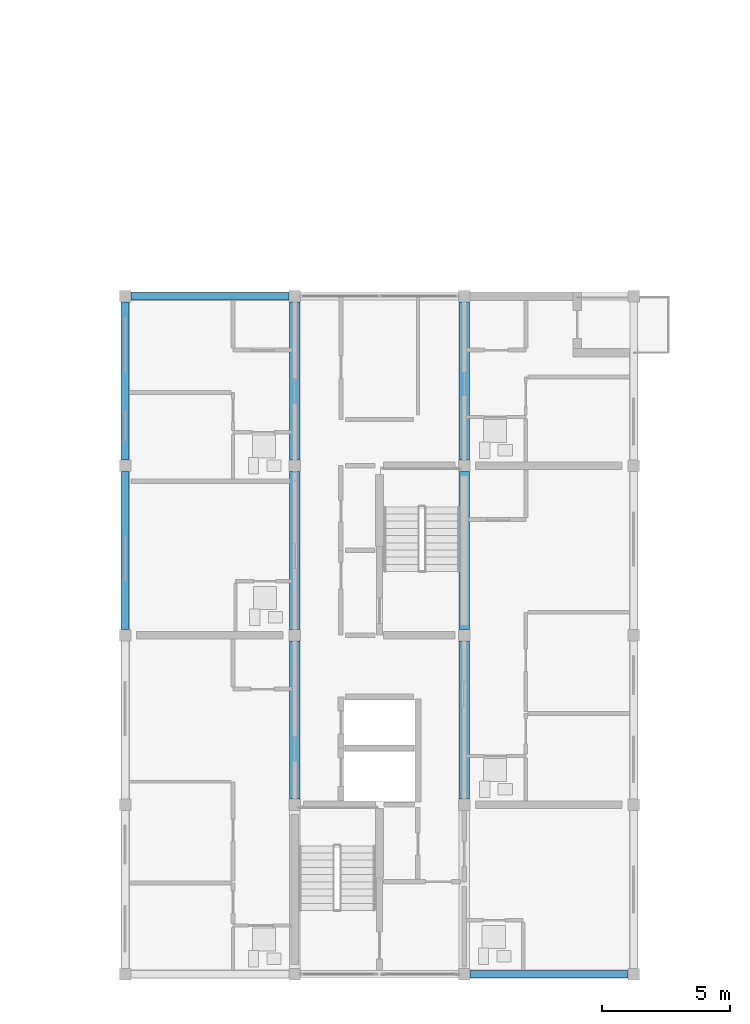
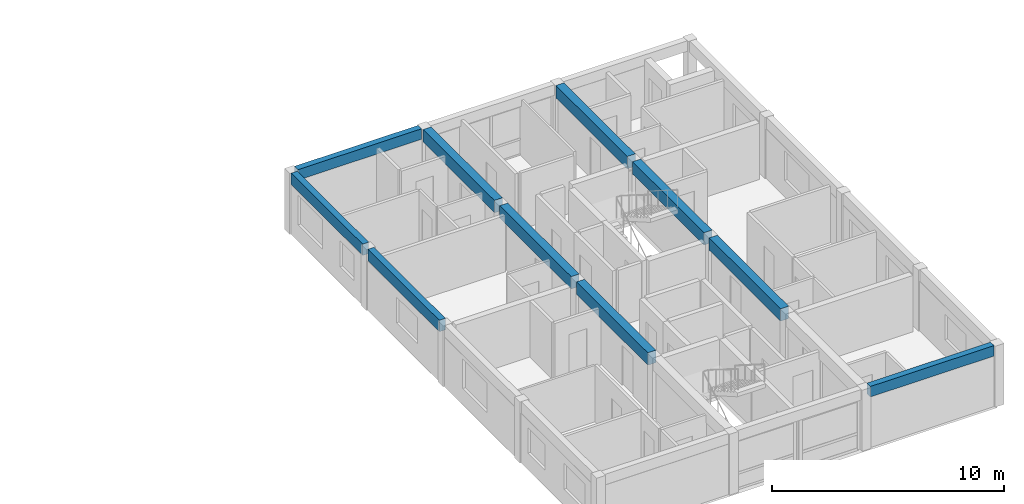
# One storey, part 13 of 45: 10 beams.
"""IFC4 building model written with IfcOpenShell, lengths in metres."""

from ifc_helpers import new_model, si_unit, direction, frame, origin, origin_2d, place, context, subcontext, project, spatial, rectangle, extrude, material, material_profile, profile_set, type_object, element, save


model = new_model("IFC4")

# Units and contexts
model_context = context("Model", 3, precision=1e-05, world=origin(), true_north=direction((0.0, 1.0)))
body_context = subcontext(model_context, "Body", "Model", "MODEL_VIEW")
ifc_project = project(units=[si_unit("LENGTHUNIT", "METRE"), si_unit("AREAUNIT", "SQUARE_METRE"), si_unit("VOLUMEUNIT", "CUBIC_METRE"), si_unit("PLANEANGLEUNIT", "RADIAN"), si_unit("MASSUNIT", "GRAM", prefix="KILO")], contexts=[model_context])

# Site, building, storey
site_placement = place(None, origin())
site = spatial("IfcSite", under=ifc_project, at=site_placement, CompositionType="ELEMENT")
building_placement = place(site_placement, origin())
building = spatial("IfcBuilding", under=site, at=building_placement, Name="Kernevlak Ridge Housing Community", CompositionType="ELEMENT")
storey_placement = place(building_placement, frame((0.0, 0.0, 21.199951171875)))
storey = spatial("IfcBuildingStorey", under=building, at=storey_placement, Name="L06", CompositionType="ELEMENT", Elevation=21.199951171875)

# Beams
ifc_material = material(Name="Concrete C35/45", Category="concrete")
ifc_material_profile_1 = material_profile(ifc_material, rectangle(XDim=0.39990234375, YDim=0.64990234375, at=origin_2d()), Name="RC 400x650")
ifc_profile_set_1 = profile_set([ifc_material_profile_1], Name="Concrete C35/45")
beam_type_1 = type_object("IfcBeamType", Name="B-03", PredefinedType="T_BEAM", material=ifc_profile_set_1)
beam_1_placement = place(storey_placement, frame((132.60009765625, 22.425048828125, 2.875), z_axis=(0.0, 1.0, 0.0), x_axis=(-1.0, 0.0, 0.0)))
element("IfcBeam", 1, at=beam_1_placement, inside=storey, type_object=beam_type_1, Name="Beam B-03 L06 1139", PredefinedType="T_BEAM", context=body_context, shape_type="SweptSolid", body=[
    extrude(rectangle(XDim=0.39990234375, YDim=0.64990234375, at=origin_2d()), origin(), (0.0, 0.0, 1.0), 6.14990234375),
])
beam_2_placement = place(storey_placement, frame((132.60009765625, 29.02490234375, 2.875), z_axis=(0.0, 1.0, 0.0), x_axis=(-1.0, 0.0, 0.0)))
element("IfcBeam", 2, at=beam_2_placement, inside=storey, type_object=beam_type_1, Name="Beam B-03 L06 1140", PredefinedType="T_BEAM", context=body_context, shape_type="SweptSolid", body=[
    extrude(rectangle(XDim=0.39990234375, YDim=0.64990234375, at=origin_2d()), origin(), (0.0, 0.0, 1.0), 6.150146484375),
])
for number, where, z_axis, x_axis, name in (
    (3, (132.60009765625, 35.625, 2.875), (0.0, 1.0, 0.0), (-1.0, 0.0, 0.0), "Beam B-03 L06 1141"),
    (4, (139.199951171875, 22.425048828125, 2.875), (0.0, 1.0, 0.0), (-1.0, 0.0, 0.0), "Beam B-03 L06 1143"),
):
    element("IfcBeam", number, at=place(storey_placement, frame(where, z_axis=z_axis, x_axis=x_axis)), inside=storey, type_object=beam_type_1, Name=name, PredefinedType="T_BEAM", context=body_context, shape_type="SweptSolid", body=[
        extrude(rectangle(XDim=0.39990234375, YDim=0.64990234375, at=origin_2d()), origin(), (0.0, 0.0, 1.0), 6.14990234375),
    ])
beam_3_placement = place(storey_placement, frame((139.199951171875, 29.02490234375, 2.875), z_axis=(0.0, 1.0, 0.0), x_axis=(-1.0, 0.0, 0.0)))
element("IfcBeam", 5, at=beam_3_placement, inside=storey, type_object=beam_type_1, Name="Beam B-03 L06 1144", PredefinedType="T_BEAM", context=body_context, shape_type="SweptSolid", body=[
    extrude(rectangle(XDim=0.39990234375, YDim=0.64990234375, at=origin_2d()), origin(), (0.0, 0.0, 1.0), 6.150146484375),
])
beam_4_placement = place(storey_placement, frame((139.199951171875, 35.625, 2.875), z_axis=(0.0, 1.0, 0.0), x_axis=(-1.0, 0.0, 0.0)))
element("IfcBeam", 6, at=beam_4_placement, inside=storey, type_object=beam_type_1, Name="Beam B-03 L06 1145", PredefinedType="T_BEAM", context=body_context, shape_type="SweptSolid", body=[
    extrude(rectangle(XDim=0.39990234375, YDim=0.64990234375, at=origin_2d()), origin(), (0.0, 0.0, 1.0), 6.14990234375),
])
ifc_material_profile_2 = material_profile(ifc_material, rectangle(XDim=0.300048828125, YDim=0.550048828125, at=origin_2d()), Name="RC 300x550")
ifc_profile_set_2 = profile_set([ifc_material_profile_2], Name="Concrete C35/45")
beam_type_2 = type_object("IfcBeamType", Name="SP-01", PredefinedType="SPANDREL", material=ifc_profile_set_2)
for number, where, z_axis, x_axis, name in (
    (7, (139.425048828125, 15.60009765625, 2.925048828125), (1.0, 0.0, 0.0), (0.0, 1.0, 0.0), "Beam SP-01 L06 1152"),
    (8, (126.22509765625, 42.0, 2.925048828125), (1.0, 0.0, 0.0), (0.0, 1.0, 0.0), "Beam SP-01 L06 1153"),
):
    element("IfcBeam", number, at=place(storey_placement, frame(where, z_axis=z_axis, x_axis=x_axis)), inside=storey, type_object=beam_type_2, Name=name, PredefinedType="SPANDREL", context=body_context, shape_type="SweptSolid", body=[
        extrude(rectangle(XDim=0.300048828125, YDim=0.550048828125, at=origin_2d()), origin(), (0.0, 0.0, 1.0), 6.14990234375),
    ])
ifc_material_profile_3 = material_profile(ifc_material, rectangle(XDim=0.300048828125, YDim=0.60009765625, at=origin_2d()), Name="RC 300x600")
ifc_profile_set_3 = profile_set([ifc_material_profile_3], Name="Concrete C35/45")
beam_type_3 = type_object("IfcBeamType", Name="SP-02", PredefinedType="SPANDREL", material=ifc_profile_set_3)
beam_5_placement = place(storey_placement, frame((126.0, 29.02490234375, 2.900146484375), z_axis=(0.0, 1.0, 0.0), x_axis=(-1.0, 0.0, 0.0)))
element("IfcBeam", 9, at=beam_5_placement, inside=storey, type_object=beam_type_3, Name="Beam SP-02 L06 1136", PredefinedType="SPANDREL", context=body_context, shape_type="SweptSolid", body=[
    extrude(rectangle(XDim=0.300048828125, YDim=0.60009765625, at=origin_2d()), origin(), (0.0, 0.0, 1.0), 6.150146484375),
])
beam_6_placement = place(storey_placement, frame((126.0, 35.625, 2.900146484375), z_axis=(0.0, 1.0, 0.0), x_axis=(-1.0, 0.0, 0.0)))
element("IfcBeam", 10, at=beam_6_placement, inside=storey, type_object=beam_type_3, Name="Beam SP-02 L06 1137", PredefinedType="SPANDREL", context=body_context, shape_type="SweptSolid", body=[
    extrude(rectangle(XDim=0.300048828125, YDim=0.60009765625, at=origin_2d()), origin(), (0.0, 0.0, 1.0), 6.14990234375),
])

save(model, "model.ifc")
